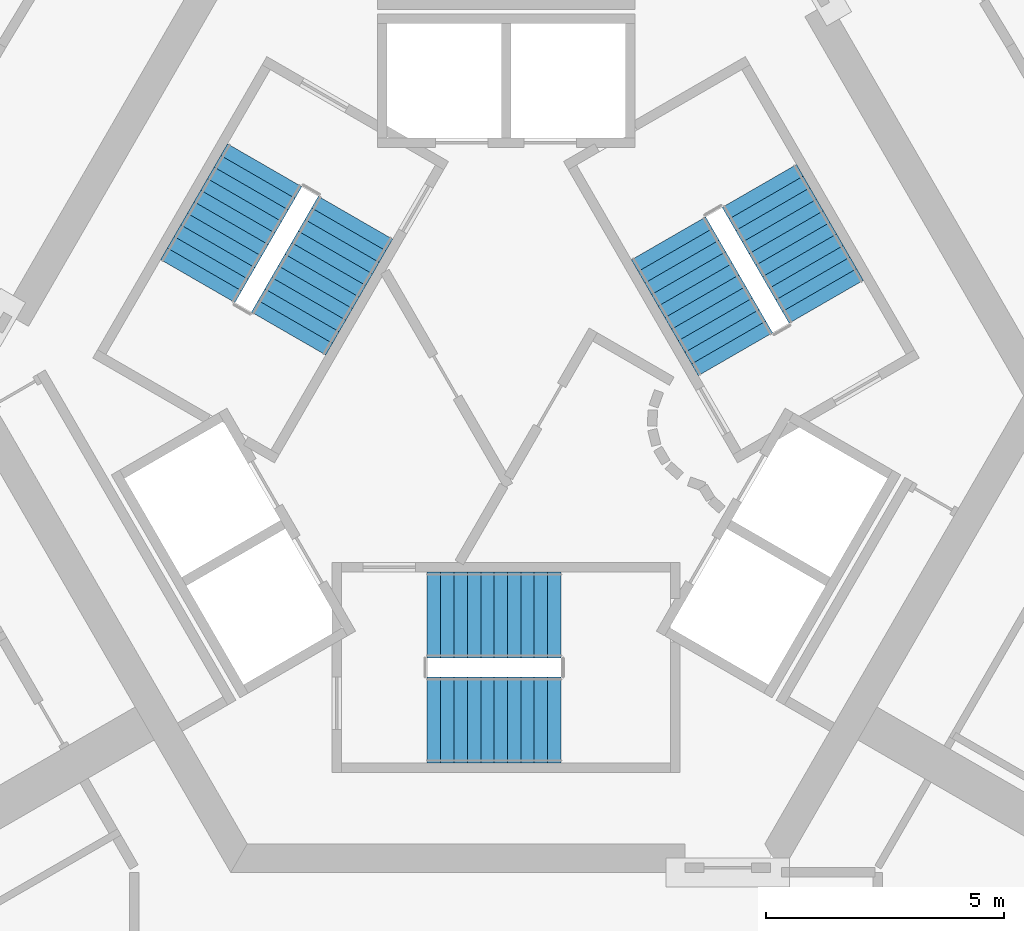
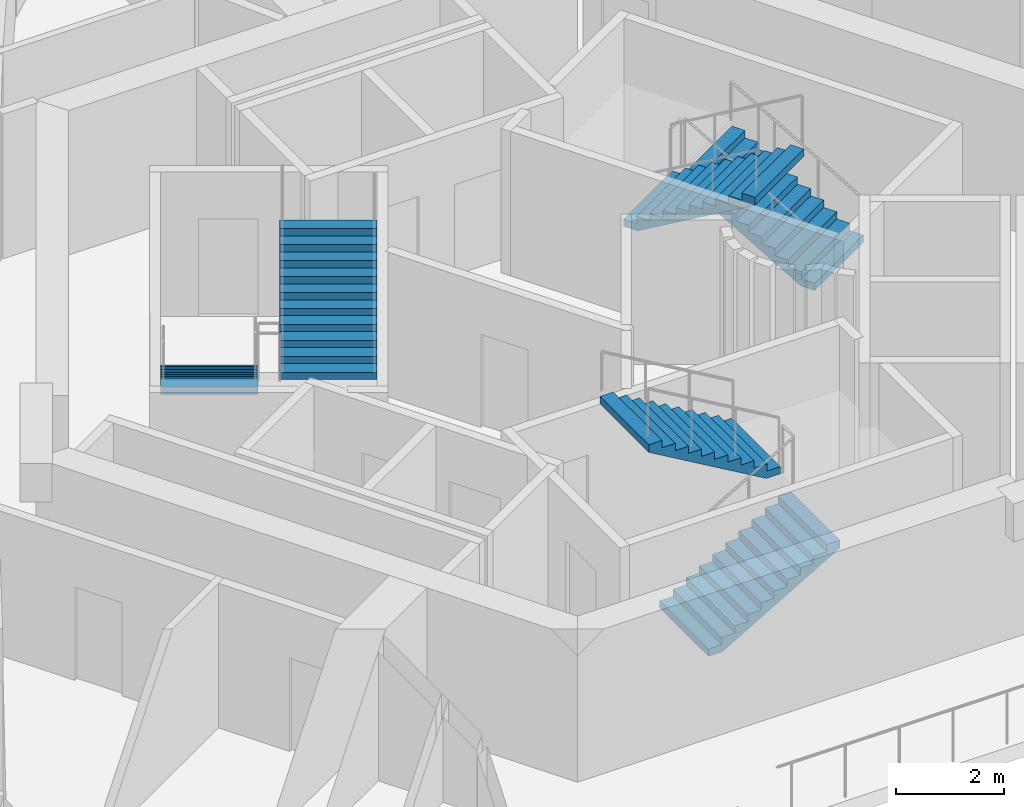
# One storey, part 9 of 10: 6 stair flights, 3 elements without a shape of their own.
"""IFC4 building model written with IfcOpenShell, lengths in metres."""

from ifc_helpers import new_model, si_unit, direction, frame, origin, place, context, subcontext, project, spatial, polyline, outline, extrude, material, type_object, element, aggregate, save


model = new_model("IFC4")

# Units and contexts
model_context = context("Model", 3, precision=1e-05, world=origin(), true_north=direction((0.0, 1.0)))
body_context = subcontext(model_context, "Body", "Model", "MODEL_VIEW")
ifc_project = project(units=[si_unit("LENGTHUNIT", "METRE"), si_unit("AREAUNIT", "SQUARE_METRE"), si_unit("VOLUMEUNIT", "CUBIC_METRE"), si_unit("PLANEANGLEUNIT", "RADIAN"), si_unit("MASSUNIT", "GRAM", prefix="KILO")], contexts=[model_context])

# Site, building, storey
site_placement = place(None, origin())
site = spatial("IfcSite", under=ifc_project, at=site_placement, CompositionType="ELEMENT")
building_placement = place(site_placement, origin())
building = spatial("IfcBuilding", under=site, at=building_placement, Name="Entoto Arch Interchange Tower", CompositionType="ELEMENT")
storey_placement = place(building_placement, frame((0.0, 0.0, 245.0)))
storey = spatial("IfcBuildingStorey", under=building, at=storey_placement, Name="L55", CompositionType="ELEMENT", Elevation=245.0)

# Stair, stair flights
ifc_material = material(Name="Concrete C40/50", Category="concrete")
stair_type = type_object("IfcStairType", Name="EXIT STAIR RC 1800", PredefinedType="HALF_TURN_STAIR", material=ifc_material)
stair_1_placement = place(storey_placement, origin())
stair_1 = element("IfcStair", 1, at=stair_1_placement, inside=storey, type_object=stair_type, Name="L55 Exit stair S", PredefinedType="HALF_TURN_STAIR")
stair_flight_type = type_object("IfcStairFlightType", Name="EXIT STAIR FLIGHT RC 1800", PredefinedType="STRAIGHT", material=ifc_material)
stair_flight_1_placement = place(storey_placement, frame((-1.64990234375, -4.300048828125, 0.0), z_axis=(0.0, 0.0, 1.0), x_axis=(1.0, 0.0, 0.0)))
stair_flight_1 = element("IfcStairFlight", 2, at=stair_flight_1_placement, type_object=stair_flight_type, Name="ST-S flight 1", NumberOfRisers=11, NumberOfTreads=10, PredefinedType="STRAIGHT", RiserHeight=0.163636364, TreadLength=0.28, context=body_context, shape_type="SweptSolid", body=[
    extrude(outline(polyline([(-0.0029296875, 0.0), (-0.0029296875, 0.16357421875), (0.280029296875, 0.16357421875), (0.280029296875, 0.327392578125), (0.56005859375, 0.327392578125), (0.56005859375, 0.490966796875), (0.840087890625, 0.490966796875), (0.840087890625, 0.654541015625), (1.1201171875, 0.654541015625), (1.1201171875, 0.818115234375), (1.39990234375, 0.818115234375), (1.39990234375, 0.98193359375), (1.679931640625, 0.98193359375), (1.679931640625, 1.1455078125), (1.9599609375, 1.1455078125), (1.9599609375, 1.30908203125), (2.239990234375, 1.30908203125), (2.239990234375, 1.47265625), (2.52001953125, 1.47265625), (2.52001953125, 1.636474609375), (2.800048828125, 1.636474609375), (2.802978515625, 1.636474609375), (2.802978515625, 1.464599609375), (0.297119140625, 0.0), (-0.0029296875, 0.0)])), frame((0.0, 0.89990234375, 0.0), z_axis=(0.0, -1.0, 0.0), x_axis=(1.0, 0.0, 0.0)), (0.0, 0.0, 1.0), 1.800048828125),
])
stair_flight_2_placement = place(storey_placement, frame((1.14990234375, -2.10009765625, 1.800048828125), z_axis=(0.0, 0.0, 1.0), x_axis=(-1.0, 0.0, 0.0)))
stair_flight_2 = element("IfcStairFlight", 3, at=stair_flight_2_placement, type_object=stair_flight_type, Name="ST-S flight 2", NumberOfRisers=11, NumberOfTreads=10, PredefinedType="STRAIGHT", RiserHeight=0.163636364, TreadLength=0.28, context=body_context, shape_type="SweptSolid", body=[
    extrude(outline(polyline([(-0.0029296875, 0.0), (-0.0029296875, 0.16357421875), (0.280029296875, 0.16357421875), (0.280029296875, 0.327392578125), (0.56005859375, 0.327392578125), (0.56005859375, 0.490966796875), (0.840087890625, 0.490966796875), (0.840087890625, 0.654541015625), (1.1201171875, 0.654541015625), (1.1201171875, 0.818115234375), (1.39990234375, 0.818115234375), (1.39990234375, 0.98193359375), (1.679931640625, 0.98193359375), (1.679931640625, 1.1455078125), (1.9599609375, 1.1455078125), (1.9599609375, 1.30908203125), (2.239990234375, 1.30908203125), (2.239990234375, 1.47265625), (2.52001953125, 1.47265625), (2.52001953125, 1.636474609375), (2.800048828125, 1.636474609375), (2.802978515625, 1.636474609375), (2.802978515625, 1.464599609375), (0.297119140625, 0.0), (-0.0029296875, 0.0)])), frame((0.0, 0.89990234375, 0.0), z_axis=(0.0, -1.0, 0.0), x_axis=(1.0, 0.0, 0.0)), (0.0, 0.0, 1.0), 1.800048828125),
])
aggregate(stair_1, [stair_flight_1, stair_flight_2])

stair_2_placement = place(storey_placement, origin())
stair_2 = element("IfcStair", 4, at=stair_2_placement, inside=storey, type_object=stair_type, Name="L55 Exit stair NE", PredefinedType="HALF_TURN_STAIR")
stair_flight_3_placement = place(storey_placement, frame((6.7138671875, 4.470947265625, 0.0), z_axis=(0.0, 0.0, 1.0), x_axis=(-0.5, 0.866025403784, 0.0)))
stair_flight_3 = element("IfcStairFlight", 5, at=stair_flight_3_placement, type_object=stair_flight_type, Name="ST-NE flight 1", NumberOfRisers=11, NumberOfTreads=10, PredefinedType="STRAIGHT", RiserHeight=0.163636364, TreadLength=0.28, context=body_context, shape_type="SweptSolid", body=[
    extrude(outline(polyline([(-0.0029296875, 0.0), (-0.0029296875, 0.16357421875), (0.280029296875, 0.16357421875), (0.280029296875, 0.327392578125), (0.56005859375, 0.327392578125), (0.56005859375, 0.490966796875), (0.840087890625, 0.490966796875), (0.840087890625, 0.654541015625), (1.1201171875, 0.654541015625), (1.1201171875, 0.818115234375), (1.39990234375, 0.818115234375), (1.39990234375, 0.98193359375), (1.679931640625, 0.98193359375), (1.679931640625, 1.1455078125), (1.9599609375, 1.1455078125), (1.9599609375, 1.30908203125), (2.239990234375, 1.30908203125), (2.239990234375, 1.47265625), (2.52001953125, 1.47265625), (2.52001953125, 1.636474609375), (2.800048828125, 1.636474609375), (2.802978515625, 1.636474609375), (2.802978515625, 1.464599609375), (0.297119140625, 0.0), (-0.0029296875, 0.0)])), frame((0.0, 0.89990234375, 0.0), z_axis=(0.0, -1.0, 0.0), x_axis=(1.0, 0.0, 0.0)), (0.0, 0.0, 1.0), 1.800048828125),
])
stair_flight_4_placement = place(storey_placement, frame((3.40869140625, 5.7958984375, 1.800048828125), z_axis=(0.0, 0.0, 1.0), x_axis=(0.5, -0.866025403784, 0.0)))
stair_flight_4 = element("IfcStairFlight", 6, at=stair_flight_4_placement, type_object=stair_flight_type, Name="ST-NE flight 2", NumberOfRisers=11, NumberOfTreads=10, PredefinedType="STRAIGHT", RiserHeight=0.163636364, TreadLength=0.28, context=body_context, shape_type="SweptSolid", body=[
    extrude(outline(polyline([(-0.0029296875, 0.0), (-0.0029296875, 0.16357421875), (0.280029296875, 0.16357421875), (0.280029296875, 0.327392578125), (0.56005859375, 0.327392578125), (0.56005859375, 0.490966796875), (0.840087890625, 0.490966796875), (0.840087890625, 0.654541015625), (1.1201171875, 0.654541015625), (1.1201171875, 0.818115234375), (1.39990234375, 0.818115234375), (1.39990234375, 0.98193359375), (1.679931640625, 0.98193359375), (1.679931640625, 1.1455078125), (1.9599609375, 1.1455078125), (1.9599609375, 1.30908203125), (2.239990234375, 1.30908203125), (2.239990234375, 1.47265625), (2.52001953125, 1.47265625), (2.52001953125, 1.636474609375), (2.800048828125, 1.636474609375), (2.802978515625, 1.636474609375), (2.802978515625, 1.464599609375), (0.297119140625, 0.0), (-0.0029296875, 0.0)])), frame((0.0, 0.89990234375, 0.0), z_axis=(0.0, -1.0, 0.0), x_axis=(1.0, 0.0, 0.0)), (0.0, 0.0, 1.0), 1.800048828125),
])
aggregate(stair_2, [stair_flight_3, stair_flight_4])

stair_3_placement = place(storey_placement, origin())
stair_3 = element("IfcStair", 7, at=stair_3_placement, inside=storey, type_object=stair_type, Name="L55 Exit stair NW", PredefinedType="HALF_TURN_STAIR")
stair_flight_5_placement = place(storey_placement, frame((-5.06396484375, 7.328857421875, 0.0), z_axis=(0.0, 0.0, 1.0), x_axis=(-0.5, -0.866025403784, 0.0)))
stair_flight_5 = element("IfcStairFlight", 8, at=stair_flight_5_placement, type_object=stair_flight_type, Name="ST-NW flight 1", NumberOfRisers=11, NumberOfTreads=10, PredefinedType="STRAIGHT", RiserHeight=0.163636364, TreadLength=0.28, context=body_context, shape_type="SweptSolid", body=[
    extrude(outline(polyline([(-0.0029296875, 0.0), (-0.0029296875, 0.16357421875), (0.280029296875, 0.16357421875), (0.280029296875, 0.327392578125), (0.56005859375, 0.327392578125), (0.56005859375, 0.490966796875), (0.840087890625, 0.490966796875), (0.840087890625, 0.654541015625), (1.1201171875, 0.654541015625), (1.1201171875, 0.818115234375), (1.39990234375, 0.818115234375), (1.39990234375, 0.98193359375), (1.679931640625, 0.98193359375), (1.679931640625, 1.1455078125), (1.9599609375, 1.1455078125), (1.9599609375, 1.30908203125), (2.239990234375, 1.30908203125), (2.239990234375, 1.47265625), (2.52001953125, 1.47265625), (2.52001953125, 1.636474609375), (2.800048828125, 1.636474609375), (2.802978515625, 1.636474609375), (2.802978515625, 1.464599609375), (0.297119140625, 0.0), (-0.0029296875, 0.0)])), frame((0.0, 0.89990234375, 0.0), z_axis=(0.0, -1.0, 0.0), x_axis=(1.0, 0.0, 0.0)), (0.0, 0.0, 1.0), 1.800048828125),
])
stair_flight_6_placement = place(storey_placement, frame((-4.558837890625, 3.803955078125, 1.800048828125), z_axis=(0.0, 0.0, 1.0), x_axis=(0.5, 0.866025403784, 0.0)))
stair_flight_6 = element("IfcStairFlight", 9, at=stair_flight_6_placement, type_object=stair_flight_type, Name="ST-NW flight 2", NumberOfRisers=11, NumberOfTreads=10, PredefinedType="STRAIGHT", RiserHeight=0.163636364, TreadLength=0.28, context=body_context, shape_type="SweptSolid", body=[
    extrude(outline(polyline([(-0.0029296875, 0.0), (-0.0029296875, 0.16357421875), (0.280029296875, 0.16357421875), (0.280029296875, 0.327392578125), (0.56005859375, 0.327392578125), (0.56005859375, 0.490966796875), (0.840087890625, 0.490966796875), (0.840087890625, 0.654541015625), (1.1201171875, 0.654541015625), (1.1201171875, 0.818115234375), (1.39990234375, 0.818115234375), (1.39990234375, 0.98193359375), (1.679931640625, 0.98193359375), (1.679931640625, 1.1455078125), (1.9599609375, 1.1455078125), (1.9599609375, 1.30908203125), (2.239990234375, 1.30908203125), (2.239990234375, 1.47265625), (2.52001953125, 1.47265625), (2.52001953125, 1.636474609375), (2.800048828125, 1.636474609375), (2.802978515625, 1.636474609375), (2.802978515625, 1.464599609375), (0.297119140625, 0.0), (-0.0029296875, 0.0)])), frame((0.0, 0.89990234375, 0.0), z_axis=(0.0, -1.0, 0.0), x_axis=(1.0, 0.0, 0.0)), (0.0, 0.0, 1.0), 1.800048828125),
])
aggregate(stair_3, [stair_flight_5, stair_flight_6])

save(model, "model.ifc")
